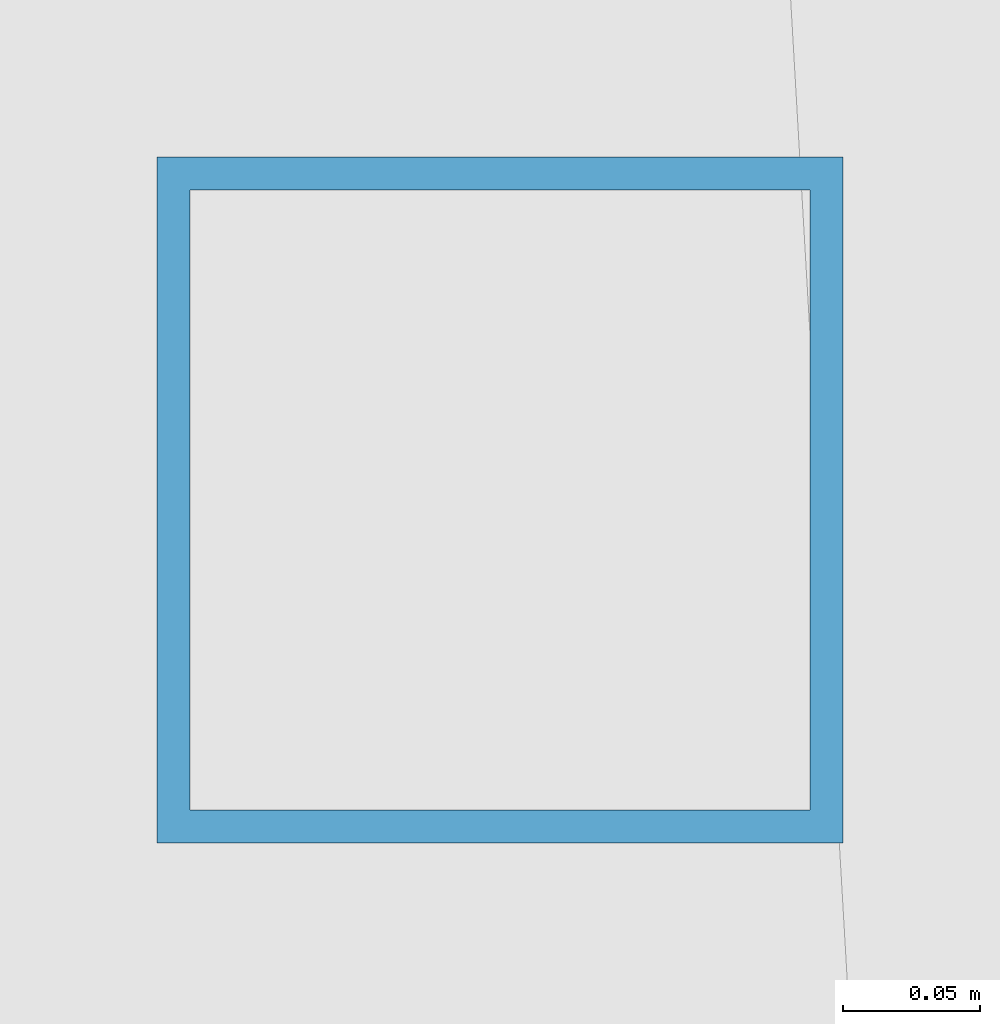
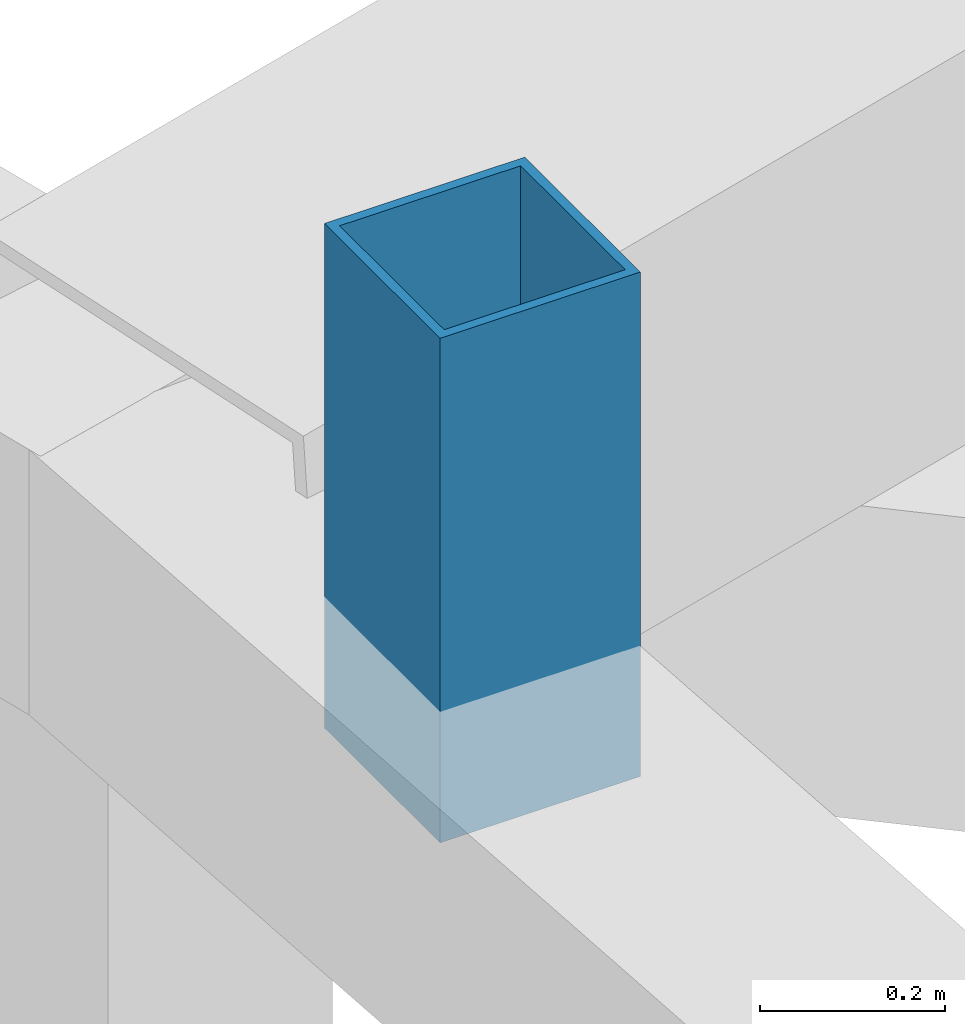
# One storey, part 118 of 162: 1 member.
"""IFC4 building model written with IfcOpenShell, lengths in metres."""

import ifcopenshell
import ifcopenshell.guid

model = None  # the IFC model being written
_history = None  # IfcOwnerHistory: only IFC2X3 demands one
_inside = {}  # id of a spatial element -> (the spatial element, [elements in it])
_under = {}  # id of a project, library or spatial element -> (it, [spatial elements below it])
_declared = {}  # id of a project -> (the project, [libraries it declares])
_typed = {}  # id of a type object -> (the type object, [elements of that type])
_made_of = {}  # id of a material, layer set ... -> (it, [elements and type objects made of it])


def new_model(schema):
    """Start an empty IFC model of exactly this schema.

    Asked for "IFC4X3", IfcOpenShell would pick the latest addendum, in which some entities
    have other attributes; the version numbers below select the first issue.
    IFC2X3 requires an IfcOwnerHistory on every rooted entity: one is made here for all.
    """
    global model, _history
    if schema == "IFC4X3":
        model = ifcopenshell.file(schema_version=(4, 3, 0, 0))
    else:
        model = ifcopenshell.file(schema=schema)
    _inside.clear()
    _under.clear()
    _declared.clear()
    _typed.clear()
    _made_of.clear()
    _history = None
    if model.schema == "IFC2X3":
        org = make("IfcOrganization", Name="unknown")
        user = make(
            "IfcPersonAndOrganization",
            ThePerson=make("IfcPerson", FamilyName="unknown"),
            TheOrganization=org,
        )
        app = make(
            "IfcApplication",
            ApplicationDeveloper=org,
            Version="unknown",
            ApplicationFullName="unknown",
            ApplicationIdentifier="unknown",
        )
        _history = make(
            "IfcOwnerHistory",
            OwningUser=user,
            OwningApplication=app,
            ChangeAction="ADDED",
            CreationDate=0,
        )
    return model


def make(cls, **values):
    """One entity of the class cls with the attributes given. An attribute that is None is left unset."""
    return model.create_entity(
        cls, **{name: value for name, value in values.items() if value is not None}
    )


def rooted(cls, **values):
    """An entity with a GlobalId (a new one), such as an element, a storey or a relation."""
    return make(cls, GlobalId=ifcopenshell.guid.new(), OwnerHistory=_history, **values)


def si_unit(unit_type, name, prefix=None):
    """IfcSIUnit, for example si_unit("LENGTHUNIT", "METRE", prefix="MILLI")."""
    return make("IfcSIUnit", UnitType=unit_type, Prefix=prefix, Name=name)


def assignment(units):
    """IfcUnitAssignment: the units of a project."""
    return None if units is None else make("IfcUnitAssignment", Units=units)


def point(xyz):
    """IfcCartesianPoint."""
    return None if xyz is None else make("IfcCartesianPoint", Coordinates=xyz)


def direction(xyz):
    """IfcDirection."""
    return None if xyz is None else make("IfcDirection", DirectionRatios=xyz)


def frame(location, z_axis=None, x_axis=None):
    """IfcAxis2Placement3D, a coordinate frame: its origin and axes. An axis left out is left unset."""
    return make(
        "IfcAxis2Placement3D",
        Location=point(location),
        Axis=direction(z_axis),
        RefDirection=direction(x_axis),
    )


def frame_2d(location, x_axis=None):
    """IfcAxis2Placement2D, a coordinate frame in the plane: its origin and x axis."""
    return make(
        "IfcAxis2Placement2D", Location=point(location), RefDirection=direction(x_axis)
    )


def origin():
    """The frame at (0, 0, 0) with its axes left unset."""
    return frame((0.0, 0.0, 0.0))


def origin_2d():
    """The frame at (0, 0) in the plane with its x axis left unset."""
    return frame_2d((0.0, 0.0))


def place(relative_to, where):
    """IfcLocalPlacement: puts the frame where relative to a parent placement (None: the world)."""
    return make(
        "IfcLocalPlacement", PlacementRelTo=relative_to, RelativePlacement=where
    )


def context(
    kind, dimensions, precision=None, world=None, true_north=None, identifier=None
):
    """IfcGeometricRepresentationContext, for example the 3D "Model" context."""
    return make(
        "IfcGeometricRepresentationContext",
        ContextIdentifier=identifier,
        ContextType=kind,
        CoordinateSpaceDimension=dimensions,
        Precision=precision,
        WorldCoordinateSystem=world,
        TrueNorth=true_north,
    )


def subcontext(parent, identifier, kind, view, scale=None):
    """IfcGeometricRepresentationSubContext, for example "Body" below "Model"."""
    return make(
        "IfcGeometricRepresentationSubContext",
        ContextIdentifier=identifier,
        ContextType=kind,
        ParentContext=parent,
        TargetScale=scale,
        TargetView=view,
    )


def project(units=None, contexts=None):
    """IfcProject with its units and contexts."""
    return rooted(
        "IfcProject",
        Name="project",
        RepresentationContexts=contexts,
        UnitsInContext=assignment(units),
    )


def spatial(cls, under=None, at=None, **own):
    """A site, building, storey or space (cls), placed at a placement, below another one or the project."""
    s = rooted(cls, ObjectPlacement=at, **own)
    if under is not None:
        _under.setdefault(under.id(), (under, []))[1].append(s)
    return s


def profile(cls, at=None, kind="AREA", **sizes):
    """A parametric profile (cls). Its sizes go by their IFC names, for example OverallWidth=200.0."""
    return make(cls, ProfileType=kind, Position=at, **sizes)


def hollow_rectangle(**sizes):
    """IfcRectangleHollowProfileDef."""
    return profile("IfcRectangleHollowProfileDef", **sizes)


def extrude(swept, where, along, depth):
    """IfcExtrudedAreaSolid: the profile swept, set in the frame where, extruded along a direction by depth."""
    return make(
        "IfcExtrudedAreaSolid",
        SweptArea=swept,
        Position=where,
        ExtrudedDirection=direction(along),
        Depth=depth,
    )


def shape(context_of_items, identifier, shape_type, items):
    """IfcShapeRepresentation: the items that make up one representation, for example the "Body"."""
    return make(
        "IfcShapeRepresentation",
        ContextOfItems=context_of_items,
        RepresentationIdentifier=identifier,
        RepresentationType=shape_type,
        Items=items,
    )


def material(Name=None, Category=None):
    """IfcMaterial."""
    return make("IfcMaterial", Name=Name, Category=Category)


def material_profile(
    of_material, cross_section, Name=None, Category=None, Priority=None
):
    """IfcMaterialProfile: a cross section and its material."""
    return make(
        "IfcMaterialProfile",
        Name=Name,
        Material=of_material,
        Profile=cross_section,
        Priority=Priority,
        Category=Category,
    )


def profile_set(profiles, Name=None, composite=None):
    """IfcMaterialProfileSet."""
    return make(
        "IfcMaterialProfileSet",
        Name=Name,
        MaterialProfiles=profiles,
        CompositeProfile=composite,
    )


def made_of(thing, what):
    """Note that an element or type object is made of a material, layer set ...; save() writes the relation."""
    if what is not None:
        _made_of.setdefault(what.id(), (what, []))[1].append(thing)
    return thing


def type_object(cls, material=None, **own):
    """A type object (cls), such as IfcWallType, which elements share."""
    return made_of(rooted(cls, **own), material)


def element(
    cls,
    number,
    at=None,
    inside=None,
    cuts=None,
    type_object=None,
    material=None,
    context=None,
    identifier="Body",
    shape_type=None,
    held_by="IfcProductDefinitionShape",
    body=None,
    shapes=None,
    **own,
):
    """One element of the class cls, such as IfcWall. Its Tag is "e" and its number.

    at: its placement. inside: the storey or other place that contains it. cuts: it is an
    opening in that element (IfcRelVoidsElement). A single representation is given by context,
    identifier, shape_type and body (its items); several are given by shapes. held_by: the class
    of the entity that holds the representations. save() writes the other relations.
    """
    e = rooted(cls, Tag="e%d" % number, ObjectPlacement=at, **own)
    if body is not None:
        shapes = [shape(context, identifier, shape_type, body)]
    if shapes is not None:
        e.Representation = make(held_by, Representations=shapes)
    if inside is not None:
        _inside.setdefault(inside.id(), (inside, []))[1].append(e)
    if cuts is not None:
        rooted(
            "IfcRelVoidsElement", RelatingBuildingElement=cuts, RelatedOpeningElement=e
        )
    if type_object is not None:
        _typed.setdefault(type_object.id(), (type_object, []))[1].append(e)
    return made_of(e, material)


def aggregate(whole, parts):
    """IfcRelAggregates: a whole, such as a stair, and the parts it consists of."""
    return rooted("IfcRelAggregates", RelatingObject=whole, RelatedObjects=parts)


def save(model, path):
    """Write the relations noted so far, then the file.

    IfcRelAggregates (storeys below a building ...), IfcRelContainedInSpatialStructure (elements
    in a storey), IfcRelDefinesByType, IfcRelAssociatesMaterial and IfcRelDeclares: one each for
    every whole, place, type object, material and project.
    """
    for whole, parts in _under.values():
        aggregate(whole, parts)
    for where, things in _inside.values():
        rooted(
            "IfcRelContainedInSpatialStructure",
            RelatedElements=things,
            RelatingStructure=where,
        )
    for kind, things in _typed.values():
        rooted("IfcRelDefinesByType", RelatedObjects=things, RelatingType=kind)
    for what, things in _made_of.values():
        rooted("IfcRelAssociatesMaterial", RelatedObjects=things, RelatingMaterial=what)
    for by, libraries in _declared.values():
        rooted("IfcRelDeclares", RelatingContext=by, RelatedDefinitions=libraries)
    model.write(path)


model = new_model("IFC4")

# Units and contexts
model_context = context("Model", 3, precision=1e-05, world=origin(), true_north=direction((0.0, 1.0)))
body_context = subcontext(model_context, "Body", "Model", "MODEL_VIEW")
ifc_project = project(units=[si_unit("LENGTHUNIT", "METRE"), si_unit("AREAUNIT", "SQUARE_METRE"), si_unit("VOLUMEUNIT", "CUBIC_METRE"), si_unit("PLANEANGLEUNIT", "RADIAN"), si_unit("MASSUNIT", "GRAM", prefix="KILO")], contexts=[model_context])

# Site, building, storey
site_placement = place(None, origin())
site = spatial("IfcSite", under=ifc_project, at=site_placement, CompositionType="ELEMENT")
building_placement = place(site_placement, origin())
building = spatial("IfcBuilding", under=site, at=building_placement, Name="Kazemori Nagisa Stadium", CompositionType="ELEMENT")
storey_placement = place(building_placement, frame((0.0, 0.0, 36.719970703125)))
storey = spatial("IfcBuildingStorey", under=building, at=storey_placement, Name="RF", CompositionType="ELEMENT", Elevation=36.719970703125)

# Member
ifc_material = material(Name="Steel STKR490", Category="steel")
ifc_material_profile = material_profile(ifc_material, hollow_rectangle(XDim=0.25, YDim=0.25, WallThickness=0.011962890625, at=origin_2d()), Name="SHS-250x250x12")
ifc_profile_set = profile_set([ifc_material_profile], Name="Steel STKR490")
member_type = type_object("IfcMemberType", Name="Member_ST-SHS250", PredefinedType="STUD", material=ifc_profile_set)
member_placement = place(storey_placement, frame((173.31689453125, 111.82763671875, 4.39501953125), z_axis=(0.0, 0.0, 1.0), x_axis=(1.0, 0.0, 0.0)))
element("IfcMember", 1, at=member_placement, inside=storey, type_object=member_type, Name="Oculus skylight bearing stool B01-2", PredefinedType="STUD", context=body_context, shape_type="SweptSolid", body=[
    extrude(hollow_rectangle(XDim=0.25, YDim=0.25, WallThickness=0.011962890625, at=origin_2d()), origin(), (0.0, 0.0, 1.0), 0.666015625),
])

save(model, "model.ifc")
